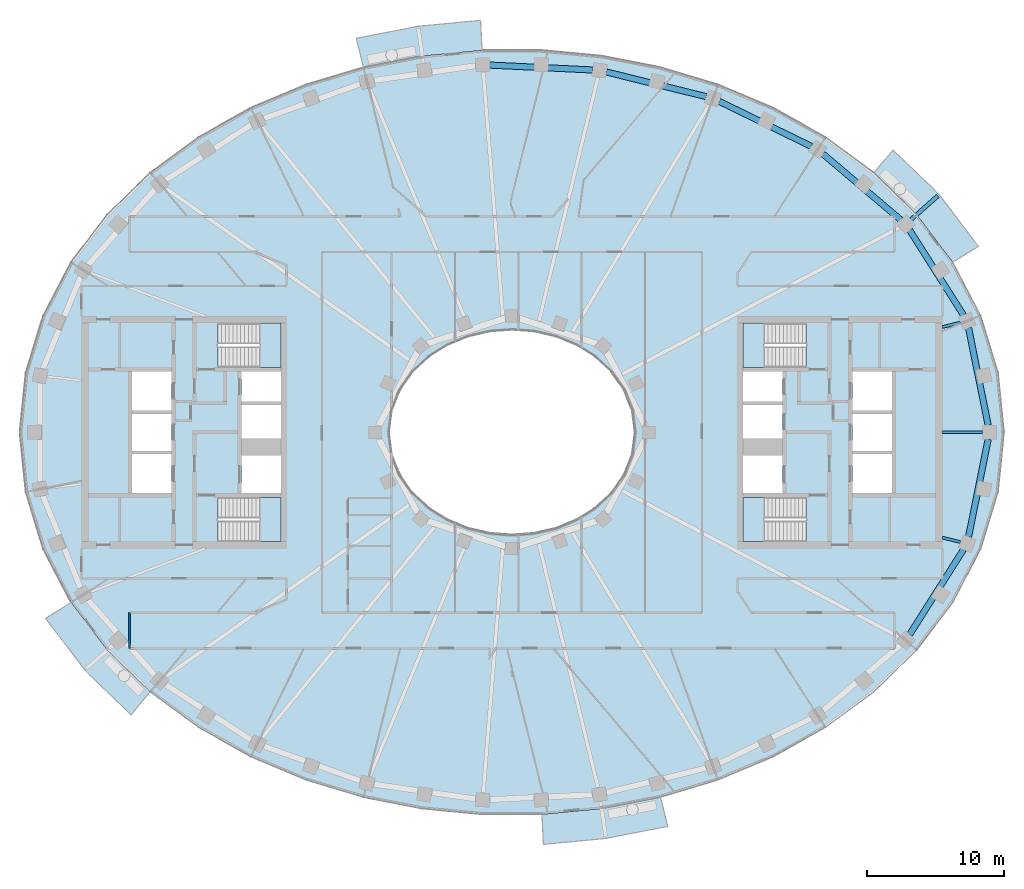
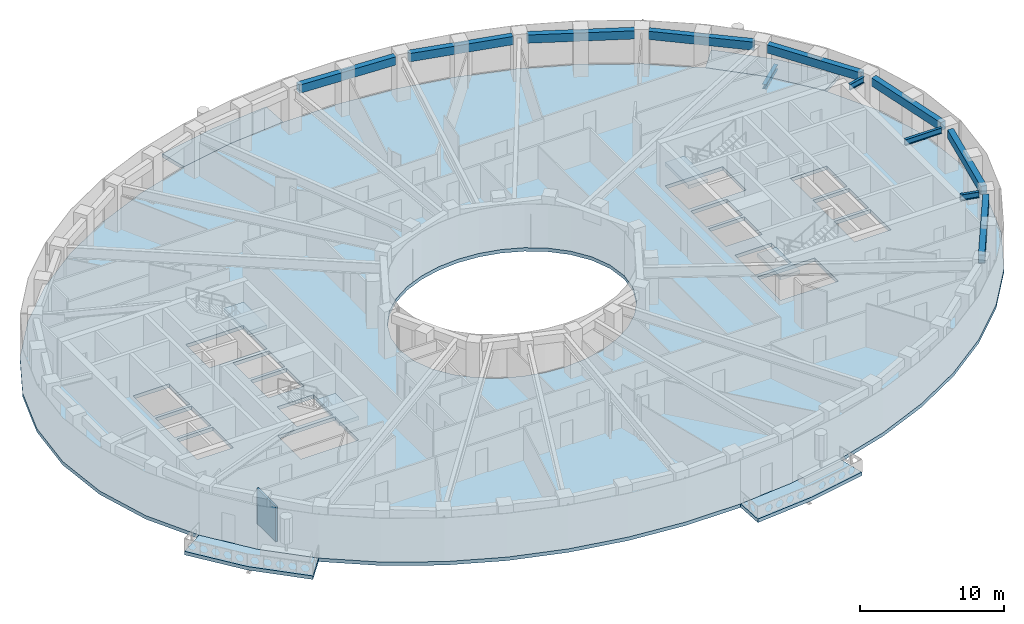
# One storey, part 2 of 17: 12 beams, 9 slabs, 1 wall, 4 elements without a shape of their own.
"""IFC4 building model written with IfcOpenShell, lengths in metres."""

import ifcopenshell
import ifcopenshell.guid

model = None  # the IFC model being written
_history = None  # IfcOwnerHistory: only IFC2X3 demands one
_inside = {}  # id of a spatial element -> (the spatial element, [elements in it])
_under = {}  # id of a project, library or spatial element -> (it, [spatial elements below it])
_declared = {}  # id of a project -> (the project, [libraries it declares])
_typed = {}  # id of a type object -> (the type object, [elements of that type])
_made_of = {}  # id of a material, layer set ... -> (it, [elements and type objects made of it])


def new_model(schema):
    """Start an empty IFC model of exactly this schema.

    Asked for "IFC4X3", IfcOpenShell would pick the latest addendum, in which some entities
    have other attributes; the version numbers below select the first issue.
    IFC2X3 requires an IfcOwnerHistory on every rooted entity: one is made here for all.
    """
    global model, _history
    if schema == "IFC4X3":
        model = ifcopenshell.file(schema_version=(4, 3, 0, 0))
    else:
        model = ifcopenshell.file(schema=schema)
    _inside.clear()
    _under.clear()
    _declared.clear()
    _typed.clear()
    _made_of.clear()
    _history = None
    if model.schema == "IFC2X3":
        org = make("IfcOrganization", Name="unknown")
        user = make(
            "IfcPersonAndOrganization",
            ThePerson=make("IfcPerson", FamilyName="unknown"),
            TheOrganization=org,
        )
        app = make(
            "IfcApplication",
            ApplicationDeveloper=org,
            Version="unknown",
            ApplicationFullName="unknown",
            ApplicationIdentifier="unknown",
        )
        _history = make(
            "IfcOwnerHistory",
            OwningUser=user,
            OwningApplication=app,
            ChangeAction="ADDED",
            CreationDate=0,
        )
    return model


def make(cls, **values):
    """One entity of the class cls with the attributes given. An attribute that is None is left unset."""
    return model.create_entity(
        cls, **{name: value for name, value in values.items() if value is not None}
    )


def rooted(cls, **values):
    """An entity with a GlobalId (a new one), such as an element, a storey or a relation."""
    return make(cls, GlobalId=ifcopenshell.guid.new(), OwnerHistory=_history, **values)


def si_unit(unit_type, name, prefix=None):
    """IfcSIUnit, for example si_unit("LENGTHUNIT", "METRE", prefix="MILLI")."""
    return make("IfcSIUnit", UnitType=unit_type, Prefix=prefix, Name=name)


def assignment(units):
    """IfcUnitAssignment: the units of a project."""
    return None if units is None else make("IfcUnitAssignment", Units=units)


def point(xyz):
    """IfcCartesianPoint."""
    return None if xyz is None else make("IfcCartesianPoint", Coordinates=xyz)


def direction(xyz):
    """IfcDirection."""
    return None if xyz is None else make("IfcDirection", DirectionRatios=xyz)


def frame(location, z_axis=None, x_axis=None):
    """IfcAxis2Placement3D, a coordinate frame: its origin and axes. An axis left out is left unset."""
    return make(
        "IfcAxis2Placement3D",
        Location=point(location),
        Axis=direction(z_axis),
        RefDirection=direction(x_axis),
    )


def frame_2d(location, x_axis=None):
    """IfcAxis2Placement2D, a coordinate frame in the plane: its origin and x axis."""
    return make(
        "IfcAxis2Placement2D", Location=point(location), RefDirection=direction(x_axis)
    )


def origin():
    """The frame at (0, 0, 0) with its axes left unset."""
    return frame((0.0, 0.0, 0.0))


def origin_2d():
    """The frame at (0, 0) in the plane with its x axis left unset."""
    return frame_2d((0.0, 0.0))


def place(relative_to, where):
    """IfcLocalPlacement: puts the frame where relative to a parent placement (None: the world)."""
    return make(
        "IfcLocalPlacement", PlacementRelTo=relative_to, RelativePlacement=where
    )


def context(
    kind, dimensions, precision=None, world=None, true_north=None, identifier=None
):
    """IfcGeometricRepresentationContext, for example the 3D "Model" context."""
    return make(
        "IfcGeometricRepresentationContext",
        ContextIdentifier=identifier,
        ContextType=kind,
        CoordinateSpaceDimension=dimensions,
        Precision=precision,
        WorldCoordinateSystem=world,
        TrueNorth=true_north,
    )


def subcontext(parent, identifier, kind, view, scale=None):
    """IfcGeometricRepresentationSubContext, for example "Body" below "Model"."""
    return make(
        "IfcGeometricRepresentationSubContext",
        ContextIdentifier=identifier,
        ContextType=kind,
        ParentContext=parent,
        TargetScale=scale,
        TargetView=view,
    )


def project(units=None, contexts=None):
    """IfcProject with its units and contexts."""
    return rooted(
        "IfcProject",
        Name="project",
        RepresentationContexts=contexts,
        UnitsInContext=assignment(units),
    )


def spatial(cls, under=None, at=None, **own):
    """A site, building, storey or space (cls), placed at a placement, below another one or the project."""
    s = rooted(cls, ObjectPlacement=at, **own)
    if under is not None:
        _under.setdefault(under.id(), (under, []))[1].append(s)
    return s


def polyline(points):
    """IfcPolyline through the points."""
    return make("IfcPolyline", Points=[point(p) for p in points])


def profile(cls, at=None, kind="AREA", **sizes):
    """A parametric profile (cls). Its sizes go by their IFC names, for example OverallWidth=200.0."""
    return make(cls, ProfileType=kind, Position=at, **sizes)


def rectangle(**sizes):
    """IfcRectangleProfileDef."""
    return profile("IfcRectangleProfileDef", **sizes)


def i_section(**sizes):
    """IfcIShapeProfileDef."""
    return profile("IfcIShapeProfileDef", **sizes)


def outline(outer, holes=None, kind="AREA"):
    """IfcArbitraryClosedProfileDef: a profile drawn as a closed curve; with holes, ...WithVoids."""
    if holes is None:
        return make("IfcArbitraryClosedProfileDef", ProfileType=kind, OuterCurve=outer)
    return make(
        "IfcArbitraryProfileDefWithVoids",
        ProfileType=kind,
        OuterCurve=outer,
        InnerCurves=holes,
    )


def extrude(swept, where, along, depth):
    """IfcExtrudedAreaSolid: the profile swept, set in the frame where, extruded along a direction by depth."""
    return make(
        "IfcExtrudedAreaSolid",
        SweptArea=swept,
        Position=where,
        ExtrudedDirection=direction(along),
        Depth=depth,
    )


def shape(context_of_items, identifier, shape_type, items):
    """IfcShapeRepresentation: the items that make up one representation, for example the "Body"."""
    return make(
        "IfcShapeRepresentation",
        ContextOfItems=context_of_items,
        RepresentationIdentifier=identifier,
        RepresentationType=shape_type,
        Items=items,
    )


def material(Name=None, Category=None):
    """IfcMaterial."""
    return make("IfcMaterial", Name=Name, Category=Category)


def layer(
    of_material, thickness, ventilated=None, Name=None, Category=None, Priority=None
):
    """IfcMaterialLayer: one layer of a wall or slab, of a material (None: an air gap)."""
    return make(
        "IfcMaterialLayer",
        Material=of_material,
        LayerThickness=thickness,
        IsVentilated=ventilated,
        Name=Name,
        Category=Category,
        Priority=Priority,
    )


def layer_set(layers, Name=None):
    """IfcMaterialLayerSet."""
    return make("IfcMaterialLayerSet", MaterialLayers=layers, LayerSetName=Name)


def material_profile(
    of_material, cross_section, Name=None, Category=None, Priority=None
):
    """IfcMaterialProfile: a cross section and its material."""
    return make(
        "IfcMaterialProfile",
        Name=Name,
        Material=of_material,
        Profile=cross_section,
        Priority=Priority,
        Category=Category,
    )


def profile_set(profiles, Name=None, composite=None):
    """IfcMaterialProfileSet."""
    return make(
        "IfcMaterialProfileSet",
        Name=Name,
        MaterialProfiles=profiles,
        CompositeProfile=composite,
    )


def made_of(thing, what):
    """Note that an element or type object is made of a material, layer set ...; save() writes the relation."""
    if what is not None:
        _made_of.setdefault(what.id(), (what, []))[1].append(thing)
    return thing


def type_object(cls, material=None, **own):
    """A type object (cls), such as IfcWallType, which elements share."""
    return made_of(rooted(cls, **own), material)


def element(
    cls,
    number,
    at=None,
    inside=None,
    cuts=None,
    type_object=None,
    material=None,
    context=None,
    identifier="Body",
    shape_type=None,
    held_by="IfcProductDefinitionShape",
    body=None,
    shapes=None,
    **own,
):
    """One element of the class cls, such as IfcWall. Its Tag is "e" and its number.

    at: its placement. inside: the storey or other place that contains it. cuts: it is an
    opening in that element (IfcRelVoidsElement). A single representation is given by context,
    identifier, shape_type and body (its items); several are given by shapes. held_by: the class
    of the entity that holds the representations. save() writes the other relations.
    """
    e = rooted(cls, Tag="e%d" % number, ObjectPlacement=at, **own)
    if body is not None:
        shapes = [shape(context, identifier, shape_type, body)]
    if shapes is not None:
        e.Representation = make(held_by, Representations=shapes)
    if inside is not None:
        _inside.setdefault(inside.id(), (inside, []))[1].append(e)
    if cuts is not None:
        rooted(
            "IfcRelVoidsElement", RelatingBuildingElement=cuts, RelatedOpeningElement=e
        )
    if type_object is not None:
        _typed.setdefault(type_object.id(), (type_object, []))[1].append(e)
    return made_of(e, material)


def aggregate(whole, parts):
    """IfcRelAggregates: a whole, such as a stair, and the parts it consists of."""
    return rooted("IfcRelAggregates", RelatingObject=whole, RelatedObjects=parts)


def save(model, path):
    """Write the relations noted so far, then the file.

    IfcRelAggregates (storeys below a building ...), IfcRelContainedInSpatialStructure (elements
    in a storey), IfcRelDefinesByType, IfcRelAssociatesMaterial and IfcRelDeclares: one each for
    every whole, place, type object, material and project.
    """
    for whole, parts in _under.values():
        aggregate(whole, parts)
    for where, things in _inside.values():
        rooted(
            "IfcRelContainedInSpatialStructure",
            RelatedElements=things,
            RelatingStructure=where,
        )
    for kind, things in _typed.values():
        rooted("IfcRelDefinesByType", RelatedObjects=things, RelatingType=kind)
    for what, things in _made_of.values():
        rooted("IfcRelAssociatesMaterial", RelatedObjects=things, RelatingMaterial=what)
    for by, libraries in _declared.values():
        rooted("IfcRelDeclares", RelatingContext=by, RelatedDefinitions=libraries)
    model.write(path)


model = new_model("IFC4")

# Units and contexts
model_context = context("Model", 3, precision=1e-05, world=origin(), true_north=direction((0.0, 1.0)))
body_context = subcontext(model_context, "Body", "Model", "MODEL_VIEW")
ifc_project = project(units=[si_unit("LENGTHUNIT", "METRE"), si_unit("AREAUNIT", "SQUARE_METRE"), si_unit("VOLUMEUNIT", "CUBIC_METRE"), si_unit("PLANEANGLEUNIT", "RADIAN"), si_unit("MASSUNIT", "GRAM", prefix="KILO")], contexts=[model_context])

# Site, building, storey
site_placement = place(None, origin())
site = spatial("IfcSite", under=ifc_project, at=site_placement, CompositionType="ELEMENT")
building_placement = place(site_placement, origin())
building = spatial("IfcBuilding", under=site, at=building_placement, Name="Noorbagh Ring Tower", CompositionType="ELEMENT")
storey_placement = place(building_placement, frame((0.0, 0.0, 269.5)))
storey = spatial("IfcBuildingStorey", under=building, at=storey_placement, Name="L57", CompositionType="ELEMENT", Elevation=269.5)

# Beams
ifc_material_1 = material(Name="Steel S355", Category="steel")
ifc_material_profile_1 = material_profile(ifc_material_1, i_section(OverallWidth=0.300048828125, OverallDepth=0.39990234375, WebThickness=0.013427734375, FlangeThickness=0.02392578125, FilletRadius=0.027099609375, at=origin_2d()), Name="HEB400")
ifc_profile_set_1 = profile_set([ifc_material_profile_1], Name="Steel S355")
beam_type_1 = type_object("IfcBeamType", Name="STR-BALCONY-BRACKET-HEB400", PredefinedType="BEAM", material=ifc_profile_set_1)
beam_1_placement = place(storey_placement, frame((29.197021484375, 15.565185546875, -0.5), z_axis=(0.749087807423, 0.662470721444, 0.0), x_axis=(-0.662470721444, 0.749087807423, 0.0)))
element("IfcBeam", 1, at=beam_1_placement, inside=storey, type_object=beam_type_1, Name="Balcony bracket beam BN01", PredefinedType="BEAM", context=body_context, shape_type="SweptSolid", body=[
    extrude(i_section(OverallWidth=0.300048828125, OverallDepth=0.39990234375, WebThickness=0.013427734375, FlangeThickness=0.02392578125, FilletRadius=0.027099609375, at=origin_2d()), origin(), (0.0, 0.0, 1.0), 2.6044921875),
])
ifc_material_2 = material(Name="Steel S355", Category="steel")
ifc_material_profile_2 = material_profile(ifc_material_2, i_section(OverallWidth=0.199951171875, OverallDepth=0.5, WebThickness=0.01025390625, FlangeThickness=0.01611328125, FilletRadius=0.02099609375, at=origin_2d()), Name="IPE500")
ifc_profile_set_2 = profile_set([ifc_material_profile_2], Name="Steel S355")
beam_type_2 = type_object("IfcBeamType", Name="STR-RAD-IPE500", PredefinedType="BEAM", material=ifc_profile_set_2)
beam_2_placement = place(storey_placement, frame((34.439697265625, 0.0, 3.449951171875), z_axis=(-1.0, 0.0, 0.0), x_axis=(0.0, -1.0, 0.0)))
element("IfcBeam", 2, at=beam_2_placement, inside=storey, type_object=beam_type_2, Name="L57/bm/RD01", PredefinedType="BEAM", context=body_context, shape_type="SweptSolid", body=[
    extrude(i_section(OverallWidth=0.199951171875, OverallDepth=0.5, WebThickness=0.01025390625, FlangeThickness=0.01611328125, FilletRadius=0.02099609375, at=origin_2d()), origin(), (0.0, 0.0, 1.0), 2.959716796875),
])
for number, where, z_axis, x_axis, name in (
    (3, (32.80908203125, 8.02783203125, 3.449951171875), (-0.971368805904, -0.237576604311, 0.0), (0.237576604311, -0.971368805904, 0.0), "L57/bm/RD03"),
    (4, (32.80908203125, -8.02783203125, 3.449951171875), (-0.971368805904, 0.237576604311, 0.0), (-0.237576604311, -0.971368805904, 0.0), "L57/bm/RD45"),
):
    element("IfcBeam", number, at=place(storey_placement, frame(where, z_axis=z_axis, x_axis=x_axis)), inside=storey, type_object=beam_type_2, Name=name, PredefinedType="BEAM", context=body_context, shape_type="SweptSolid", body=[
        extrude(i_section(OverallWidth=0.199951171875, OverallDepth=0.5, WebThickness=0.01025390625, FlangeThickness=0.01611328125, FilletRadius=0.02099609375, at=origin_2d()), origin(), (0.0, 0.0, 1.0), 1.36767578125),
    ])
ifc_material_3 = material(Name="Concrete C40/50", Category="concrete")
ifc_material_profile_3 = material_profile(ifc_material_3, rectangle(XDim=0.449951171875, YDim=0.699951171875, at=origin_2d()), Name="RC450x700")
ifc_profile_set_3 = profile_set([ifc_material_profile_3], Name="Concrete C40/50")
beam_type_3 = type_object("IfcBeamType", Name="STR-SB-RC450x700-C40-50", PredefinedType="BEAM", material=ifc_profile_set_3)
beam_3_placement = place(storey_placement, frame((34.843017578125, 0.50537109375, 3.35009765625), z_axis=(-0.197224898537, 0.980358270938, 0.0), x_axis=(-0.980358270938, -0.197224898537, 0.0)))
element("IfcBeam", 5, at=beam_3_placement, inside=storey, type_object=beam_type_3, Name="L57/bm/SP01", PredefinedType="BEAM", context=body_context, shape_type="SweptSolid", body=[
    extrude(rectangle(XDim=0.449951171875, YDim=0.699951171875, at=origin_2d()), origin(), (0.0, 0.0, 1.0), 7.282470703125),
])
beam_4_placement = place(storey_placement, frame((33.030517578125, 8.5830078125, 3.35009765625), z_axis=(-0.535199696751, 0.844725567624, 0.0), x_axis=(-0.844725567624, -0.535199696751, 0.0)))
element("IfcBeam", 6, at=beam_4_placement, inside=storey, type_object=beam_type_3, Name="L57/bm/SP03", PredefinedType="BEAM", context=body_context, shape_type="SweptSolid", body=[
    extrude(rectangle(XDim=0.449951171875, YDim=0.699951171875, at=origin_2d()), origin(), (0.0, 0.0, 1.0), 7.357421875),
])
beam_5_placement = place(storey_placement, frame((28.42919921875, 15.560546875, 3.35009765625), z_axis=(-0.76304148439, 0.646349513111, 0.0), x_axis=(-0.646349513111, -0.76304148439, 0.0)))
element("IfcBeam", 7, at=beam_5_placement, inside=storey, type_object=beam_type_3, Name="L57/bm/SP05", PredefinedType="BEAM", context=body_context, shape_type="SweptSolid", body=[
    extrude(rectangle(XDim=0.449951171875, YDim=0.699951171875, at=origin_2d()), origin(), (0.0, 0.0, 1.0), 7.44189453125),
])
beam_6_placement = place(storey_placement, frame((21.905029296875, 20.92333984375, 3.35009765625), z_axis=(-0.898394634575, 0.439189117087, 0.0), x_axis=(-0.439189117087, -0.898394634575, 0.0)))
element("IfcBeam", 8, at=beam_6_placement, inside=storey, type_object=beam_type_3, Name="L57/bm/SP07", PredefinedType="BEAM", context=body_context, shape_type="SweptSolid", body=[
    extrude(rectangle(XDim=0.449951171875, YDim=0.699951171875, at=origin_2d()), origin(), (0.0, 0.0, 1.0), 7.501220703125),
])
beam_7_placement = place(storey_placement, frame((14.216552734375, 24.562744140625, 3.35009765625), z_axis=(-0.970832363292, 0.239759300935, 0.0), x_axis=(-0.239759300935, -0.970832363292, 0.0)))
element("IfcBeam", 9, at=beam_7_placement, inside=storey, type_object=beam_type_3, Name="L57/bm/SP09", PredefinedType="BEAM", context=body_context, shape_type="SweptSolid", body=[
    extrude(rectangle(XDim=0.449951171875, YDim=0.699951171875, at=origin_2d()), origin(), (0.0, 0.0, 1.0), 7.5341796875),
])
beam_8_placement = place(storey_placement, frame((5.90234375, 26.514892578125, 3.35009765625), z_axis=(-0.998868796295, 0.047551317418, 0.0), x_axis=(-0.047551317418, -0.998868796295, 0.0)))
element("IfcBeam", 10, at=beam_8_placement, inside=storey, type_object=beam_type_3, Name="L57/bm/SP11", PredefinedType="BEAM", context=body_context, shape_type="SweptSolid", body=[
    extrude(rectangle(XDim=0.449951171875, YDim=0.699951171875, at=origin_2d()), origin(), (0.0, 0.0, 1.0), 7.54736328125),
])
beam_9_placement = place(storey_placement, frame((29.0927734375, -14.798095703125, 3.35009765625), z_axis=(0.535199696751, 0.844725567624, 0.0), x_axis=(-0.844725567624, 0.535199696751, 0.0)))
element("IfcBeam", 11, at=beam_9_placement, inside=storey, type_object=beam_type_3, Name="L57/bm/SP43", PredefinedType="BEAM", context=body_context, shape_type="SweptSolid", body=[
    extrude(rectangle(XDim=0.449951171875, YDim=0.699951171875, at=origin_2d()), origin(), (0.0, 0.0, 1.0), 7.357421875),
])
beam_10_placement = place(storey_placement, frame((33.40673828125, -7.644775390625, 3.35009765625), z_axis=(0.197224898537, 0.980358270938, 0.0), x_axis=(-0.980358270938, 0.197224898537, 0.0)))
element("IfcBeam", 12, at=beam_10_placement, inside=storey, type_object=beam_type_3, Name="L57/bm/SP45", PredefinedType="BEAM", context=body_context, shape_type="SweptSolid", body=[
    extrude(rectangle(XDim=0.449951171875, YDim=0.699951171875, at=origin_2d()), origin(), (0.0, 0.0, 1.0), 7.282470703125),
])

# Stair, slab
ifc_material_4 = material(Name="Concrete C40/50", Category="concrete")
stair_type = type_object("IfcStairType", Name="CORE-STAIR", PredefinedType="HALF_TURN_STAIR", material=ifc_material_4)
stair_1_placement = place(storey_placement, origin())
stair_1 = element("IfcStair", 13, at=stair_1_placement, inside=storey, type_object=stair_type, Name="L57 Exit stair ST1", PredefinedType="HALF_TURN_STAIR")
ifc_material_5 = material(Name="Concrete C40/50", Category="concrete")
ifc_layer_1 = layer(ifc_material_5, 0.300048828125)
ifc_layer_set_1 = layer_set([ifc_layer_1], Name="Concrete C40/50")
slab_type_1 = type_object("IfcSlabType", Name="CORE-STAIR-LANDING", PredefinedType="LANDING", material=ifc_layer_set_1)
slab_1_placement = place(storey_placement, frame((0.0, 0.0, 1.699951171875)))
slab_1 = element("IfcSlab", 14, at=slab_1_placement, type_object=slab_type_1, Name="ST1 landing 1", PredefinedType="LANDING", context=body_context, shape_type="SweptSolid", body=[
    extrude(outline(polyline([(-18.449951171875, 4.75), (-16.89990234375, 4.75), (-16.89990234375, 8.0), (-18.449951171875, 8.0), (-18.449951171875, 4.75)])), origin(), (0.0, 0.0, 1.0), 0.300048828125),
])
aggregate(stair_1, [slab_1])

stair_2_placement = place(storey_placement, origin())
stair_2 = element("IfcStair", 15, at=stair_2_placement, inside=storey, type_object=stair_type, Name="L57 Exit stair ST2", PredefinedType="HALF_TURN_STAIR")
slab_2_placement = place(storey_placement, frame((0.0, 0.0, 1.699951171875)))
slab_2 = element("IfcSlab", 16, at=slab_2_placement, type_object=slab_type_1, Name="ST2 landing 1", PredefinedType="LANDING", context=body_context, shape_type="SweptSolid", body=[
    extrude(outline(polyline([(-18.449951171875, -8.0), (-16.89990234375, -8.0), (-16.89990234375, -4.75), (-18.449951171875, -4.75), (-18.449951171875, -8.0)])), origin(), (0.0, 0.0, 1.0), 0.300048828125),
])
aggregate(stair_2, [slab_2])

stair_3_placement = place(storey_placement, origin())
stair_3 = element("IfcStair", 17, at=stair_3_placement, inside=storey, type_object=stair_type, Name="L57 Exit stair ST3", PredefinedType="HALF_TURN_STAIR")
slab_3_placement = place(storey_placement, frame((0.0, 0.0, 1.699951171875)))
slab_3 = element("IfcSlab", 18, at=slab_3_placement, type_object=slab_type_1, Name="ST3 landing 1", PredefinedType="LANDING", context=body_context, shape_type="SweptSolid", body=[
    extrude(outline(polyline([(18.449951171875, 8.0), (16.89990234375, 8.0), (16.89990234375, 4.75), (18.449951171875, 4.75), (18.449951171875, 8.0)])), origin(), (0.0, 0.0, 1.0), 0.300048828125),
])
aggregate(stair_3, [slab_3])

stair_4_placement = place(storey_placement, origin())
stair_4 = element("IfcStair", 19, at=stair_4_placement, inside=storey, type_object=stair_type, Name="L57 Exit stair ST4", PredefinedType="HALF_TURN_STAIR")
slab_4_placement = place(storey_placement, frame((0.0, 0.0, 1.699951171875)))
slab_4 = element("IfcSlab", 20, at=slab_4_placement, type_object=slab_type_1, Name="ST4 landing 1", PredefinedType="LANDING", context=body_context, shape_type="SweptSolid", body=[
    extrude(outline(polyline([(18.449951171875, -4.75), (16.89990234375, -4.75), (16.89990234375, -8.0), (18.449951171875, -8.0), (18.449951171875, -4.75)])), origin(), (0.0, 0.0, 1.0), 0.300048828125),
])
aggregate(stair_4, [slab_4])

# Slabs
ifc_material_6 = material(Name="Concrete C40/50", Category="concrete")
ifc_layer_2 = layer(ifc_material_6, 0.300048828125)
ifc_layer_set_2 = layer_set([ifc_layer_2], Name="Concrete C40/50")
slab_type_2 = type_object("IfcSlabType", Name="ENV-BALCONY DECK 300", PredefinedType="FLOOR", material=ifc_layer_set_2)
slab_5_placement = place(storey_placement, frame((0.0, 0.0, -0.300048828125)))
element("IfcSlab", 21, at=slab_5_placement, inside=storey, type_object=slab_type_2, Name="Tree balcony deck BN01", PredefinedType="FLOOR", context=body_context, shape_type="SweptSolid", body=[
    extrude(outline(polyline([(34.120361328125, 13.615966796875), (31.26025390625, 17.389892578125), (27.888671875, 20.665771484375), (26.463134765625, 18.983154296875), (29.607666015625, 15.92822265625), (32.255126953125, 12.434814453125), (34.120361328125, 13.615966796875)])), origin(), (0.0, 0.0, 1.0), 0.300048828125),
])
slab_6_placement = place(storey_placement, frame((0.0, 0.0, -0.300048828125)))
element("IfcSlab", 22, at=slab_6_placement, inside=storey, type_object=slab_type_2, Name="Tree balcony deck BN04", PredefinedType="FLOOR", context=body_context, shape_type="SweptSolid", body=[
    extrude(outline(polyline([(-2.2978515625, 30.14794921875), (-6.874755859375, 29.711181640625), (-11.3935546875, 28.832763671875), (-10.865234375, 26.6943359375), (-6.5595703125, 27.53125), (-2.193115234375, 27.947998046875), (-2.2978515625, 30.14794921875)])), origin(), (0.0, 0.0, 1.0), 0.300048828125),
])
slab_7_placement = place(storey_placement, frame((0.0, 0.0, -0.300048828125)))
element("IfcSlab", 23, at=slab_7_placement, inside=storey, type_object=slab_type_2, Name="Tree balcony deck BS01", PredefinedType="FLOOR", context=body_context, shape_type="SweptSolid", body=[
    extrude(outline(polyline([(-34.120361328125, -13.615966796875), (-31.26025390625, -17.389892578125), (-27.888671875, -20.665771484375), (-26.463134765625, -18.983154296875), (-29.607666015625, -15.92822265625), (-32.255126953125, -12.434814453125), (-34.120361328125, -13.615966796875)])), origin(), (0.0, 0.0, 1.0), 0.300048828125),
])
slab_8_placement = place(storey_placement, frame((0.0, 0.0, -0.300048828125)))
element("IfcSlab", 24, at=slab_8_placement, inside=storey, type_object=slab_type_2, Name="Tree balcony deck BS04", PredefinedType="FLOOR", context=body_context, shape_type="SweptSolid", body=[
    extrude(outline(polyline([(2.2978515625, -30.14794921875), (6.874755859375, -29.711181640625), (11.3935546875, -28.832763671875), (10.865234375, -26.6943359375), (6.5595703125, -27.53125), (2.193115234375, -27.947998046875), (2.2978515625, -30.14794921875)])), origin(), (0.0, 0.0, 1.0), 0.300048828125),
])
ifc_material_7 = material(Name="Concrete C40/50", Category="concrete")
ifc_layer_3 = layer(ifc_material_7, 0.300048828125)
ifc_layer_set_3 = layer_set([ifc_layer_3], Name="Concrete C40/50")
slab_type_3 = type_object("IfcSlabType", Name="STR-FLOOR-DECK-300", PredefinedType="FLOOR", material=ifc_layer_set_3)
slab_9_placement = place(storey_placement, frame((0.0, 0.0, -0.300048828125)))
element("IfcSlab", 25, at=slab_9_placement, inside=storey, type_object=slab_type_3, Name="L57/slab/1", PredefinedType="FLOOR", context=body_context, shape_type="SweptSolid", body=[
    extrude(outline(polyline([(36.0, 0.0), (35.56103515625, 4.358642578125), (34.281005859375, 8.548828125), (32.255126953125, 12.434814453125), (29.607666015625, 15.92822265625), (26.463134765625, 18.983154296875), (22.9326171875, 21.583740234375), (19.108154296875, 23.730224609375), (15.0654296875, 25.430419921875), (10.865234375, 26.6943359375), (6.5595703125, 27.53125), (2.193115234375, 27.947998046875), (-2.193115234375, 27.947998046875), (-6.5595703125, 27.53125), (-10.865234375, 26.6943359375), (-15.0654296875, 25.430419921875), (-19.108154296875, 23.730224609375), (-22.9326171875, 21.583740234375), (-26.463134765625, 18.983154296875), (-29.607666015625, 15.92822265625), (-32.255126953125, 12.434814453125), (-34.281005859375, 8.548828125), (-35.56103515625, 4.358642578125), (-36.0, 0.0), (-35.56103515625, -4.358642578125), (-34.281005859375, -8.548828125), (-32.255126953125, -12.434814453125), (-29.607666015625, -15.92822265625), (-26.463134765625, -18.983154296875), (-22.9326171875, -21.583740234375), (-19.108154296875, -23.730224609375), (-15.0654296875, -25.430419921875), (-10.865234375, -26.6943359375), (-6.5595703125, -27.53125), (-2.193115234375, -27.947998046875), (2.193115234375, -27.947998046875), (6.5595703125, -27.53125), (10.865234375, -26.6943359375), (15.0654296875, -25.430419921875), (19.108154296875, -23.730224609375), (22.9326171875, -21.583740234375), (26.463134765625, -18.983154296875), (29.607666015625, -15.92822265625), (32.255126953125, -12.434814453125), (34.281005859375, -8.548828125), (35.56103515625, -4.358642578125), (36.0, 0.0)]), holes=[polyline([(24.89990234375, 4.449951171875), (27.800048828125, 4.449951171875), (27.800048828125, 1.60009765625), (24.89990234375, 1.60009765625), (24.89990234375, 4.449951171875)]), polyline([(24.89990234375, 1.35009765625), (27.800048828125, 1.35009765625), (27.800048828125, -1.35009765625), (24.89990234375, -1.35009765625), (24.89990234375, 1.35009765625)]), polyline([(24.89990234375, -1.60009765625), (27.800048828125, -1.60009765625), (27.800048828125, -4.449951171875), (24.89990234375, -4.449951171875), (24.89990234375, -1.60009765625)]), polyline([(21.529541015625, -8.0), (16.89990234375, -8.0), (16.89990234375, -4.75), (21.529541015625, -4.75), (21.529541015625, -8.0)]), polyline([(16.89990234375, 4.75), (16.89990234375, 8.0), (21.529541015625, 8.0), (21.529541015625, 4.75), (16.89990234375, 4.75)]), polyline([(19.800048828125, 4.449951171875), (19.800048828125, 2.25), (16.89990234375, 2.25), (16.89990234375, 4.449951171875), (19.800048828125, 4.449951171875)]), polyline([(16.89990234375, 2.0), (19.800048828125, 2.0), (19.800048828125, -0.449951171875), (16.89990234375, -0.449951171875), (16.89990234375, 2.0)]), polyline([(16.89990234375, -1.699951171875), (19.800048828125, -1.699951171875), (19.800048828125, -4.449951171875), (16.89990234375, -4.449951171875), (16.89990234375, -1.699951171875)]), polyline([(4.697509765625, -6.3974609375), (3.196533203125, -7.010986328125), (1.6171875, -7.3779296875), (0.0, -7.5), (-1.6171875, -7.3779296875), (-3.196533203125, -7.010986328125), (-4.697509765625, -6.3974609375), (-6.071044921875, -5.53662109375), (-7.2587890625, -4.43408203125), (-8.1904296875, -3.10888671875), (-8.79150390625, -1.605224609375), (-9.0, 0.0), (-8.79150390625, 1.605224609375), (-8.1904296875, 3.10888671875), (-7.2587890625, 4.43408203125), (-6.071044921875, 5.53662109375), (-4.697509765625, 6.3974609375), (-3.196533203125, 7.010986328125), (-1.6171875, 7.3779296875), (0.0, 7.5), (1.6171875, 7.3779296875), (3.196533203125, 7.010986328125), (4.697509765625, 6.3974609375), (6.071044921875, 5.53662109375), (7.2587890625, 4.43408203125), (8.1904296875, 3.10888671875), (8.79150390625, 1.605224609375), (9.0, 0.0), (8.79150390625, -1.605224609375), (8.1904296875, -3.10888671875), (7.2587890625, -4.43408203125), (6.071044921875, -5.53662109375), (4.697509765625, -6.3974609375)]), polyline([(-16.89990234375, 2.25), (-19.800048828125, 2.25), (-19.800048828125, 4.449951171875), (-16.89990234375, 4.449951171875), (-16.89990234375, 2.25)]), polyline([(-16.89990234375, -0.449951171875), (-19.800048828125, -0.449951171875), (-19.800048828125, 2.0), (-16.89990234375, 2.0), (-16.89990234375, -0.449951171875)]), polyline([(-16.89990234375, -4.449951171875), (-19.800048828125, -4.449951171875), (-19.800048828125, -1.699951171875), (-16.89990234375, -1.699951171875), (-16.89990234375, -4.449951171875)]), polyline([(-21.529541015625, 8.0), (-16.89990234375, 8.0), (-16.89990234375, 4.75), (-21.529541015625, 4.75), (-21.529541015625, 8.0)]), polyline([(-21.529541015625, -4.75), (-16.89990234375, -4.75), (-16.89990234375, -8.0), (-21.529541015625, -8.0), (-21.529541015625, -4.75)]), polyline([(-24.89990234375, -4.449951171875), (-27.800048828125, -4.449951171875), (-27.800048828125, -1.60009765625), (-24.89990234375, -1.60009765625), (-24.89990234375, -4.449951171875)]), polyline([(-24.89990234375, 1.60009765625), (-27.800048828125, 1.60009765625), (-27.800048828125, 4.449951171875), (-24.89990234375, 4.449951171875), (-24.89990234375, 1.60009765625)]), polyline([(-24.89990234375, -1.35009765625), (-27.800048828125, -1.35009765625), (-27.800048828125, 1.35009765625), (-24.89990234375, 1.35009765625), (-24.89990234375, -1.35009765625)])]), origin(), (0.0, 0.0, 1.0), 0.300048828125),
])

# Wall
ifc_material_8 = material(Name="Gypsum board on steel studs", Category="steel")
ifc_layer_4 = layer(ifc_material_8, 0.14990234375)
ifc_layer_set_4 = layer_set([ifc_layer_4], Name="Gypsum board on steel studs")
wall_type = type_object("IfcWallType", Name="CORRIDOR PARTITION 150 EI 30", PredefinedType="PARTITIONING", material=ifc_layer_set_4)
wall_placement = place(storey_placement, frame((-28.0, -15.800048828125, 0.0), z_axis=(0.0, 0.0, 1.0), x_axis=(0.0, 1.0, 0.0)))
element("IfcWall", 26, at=wall_placement, inside=storey, type_object=wall_type, Name="L57/wall/P08", PredefinedType="PARTITIONING", context=body_context, shape_type="SweptSolid", body=[
    extrude(rectangle(XDim=2.60009765625, YDim=0.14990234375, at=frame_2d((1.300048828125, 0.0))), origin(), (0.0, 0.0, 1.0), 3.0),
])

save(model, "model.ifc")
